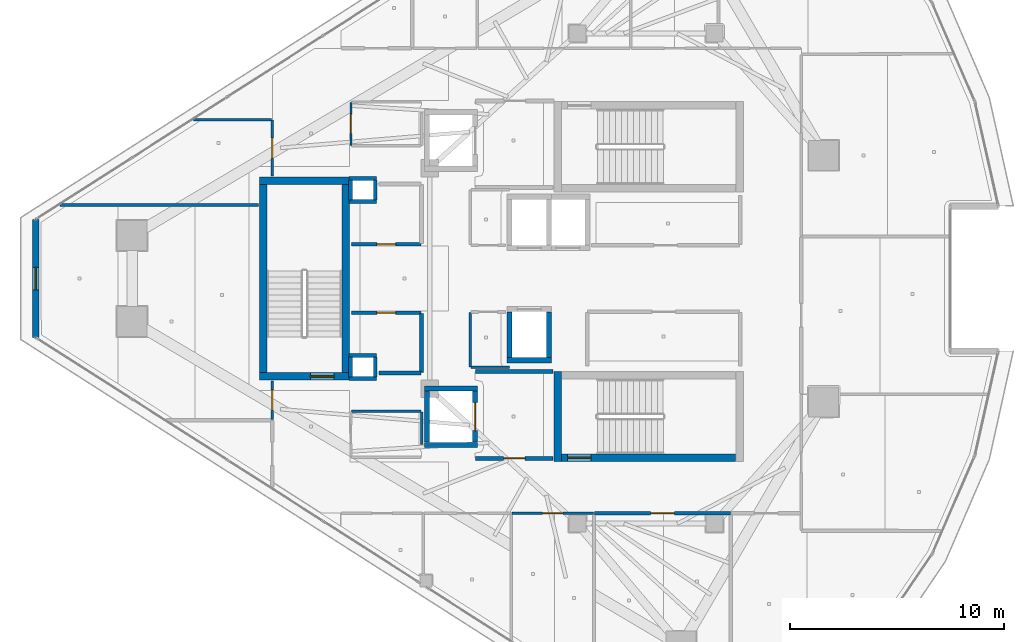
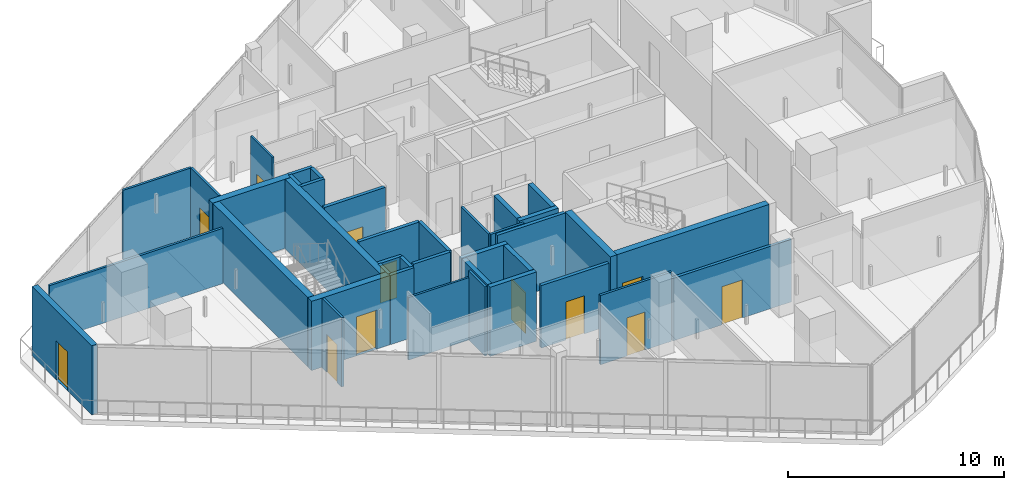
# One storey, part 16 of 25: 39 walls, 12 doors, 12 openings.
"""IFC4 building model written with IfcOpenShell, lengths in metres."""

from ifc_helpers import new_model, si_unit, direction, frame, frame_2d, origin, place, context, subcontext, project, spatial, rectangle, extrude, material, layer, layer_set, type_object, element, fill, save


model = new_model("IFC4")

# Units and contexts
model_context = context("Model", 3, precision=1e-05, world=origin(), true_north=direction((0.0, 1.0)))
body_context = subcontext(model_context, "Body", "Model", "MODEL_VIEW")
ifc_project = project(units=[si_unit("LENGTHUNIT", "METRE"), si_unit("AREAUNIT", "SQUARE_METRE"), si_unit("VOLUMEUNIT", "CUBIC_METRE"), si_unit("PLANEANGLEUNIT", "RADIAN"), si_unit("MASSUNIT", "GRAM", prefix="KILO")], contexts=[model_context])

# Site, building, storey
site_placement = place(None, origin())
site = spatial("IfcSite", under=ifc_project, at=site_placement, CompositionType="ELEMENT")
building_placement = place(site_placement, origin())
building = spatial("IfcBuilding", under=site, at=building_placement, Name="Qorvath Tower", CompositionType="ELEMENT")
storey_placement = place(building_placement, frame((0.0, 0.0, 306.0)))
storey = spatial("IfcBuildingStorey", under=building, at=storey_placement, Name="L71", CompositionType="ELEMENT", Elevation=306.0)

# Walls
ifc_material_1 = material(Name="Gypsum shaftliner on steel studs", Category="steel")
ifc_layer_1 = layer(ifc_material_1, 0.179931640625)
ifc_layer_set_1 = layer_set([ifc_layer_1], Name="FW-LOBBY")
wall_type_1 = type_object("IfcWallType", Name="FW-LOBBY", PredefinedType="PARTITIONING", material=ifc_layer_set_1)
for number, where, z_axis, x_axis, name in (
    (1, (-32.989990234375, 3.594970703125, 0.0), (0.0, 0.0, 1.0), (-1.0, 0.0, 0.0), "MEP Riser Shaft Enclosure Wall N-L71-S"),
    (2, (-34.260009765625, 4.675048828125, 0.0), (0.0, 0.0, 1.0), (1.0, 0.0, 0.0), "MEP Riser Shaft Enclosure Wall N-L71-N"),
):
    element("IfcWall", number, at=place(storey_placement, frame(where, z_axis=z_axis, x_axis=x_axis)), inside=storey, type_object=wall_type_1, Name=name, PredefinedType="PARTITIONING", context=body_context, shape_type="SweptSolid", body=[
        extrude(rectangle(XDim=1.27001953125, YDim=0.179931640625, at=frame_2d((0.635009765625, 0.0))), origin(), (0.0, 0.0, 1.0), 3.909912109375),
    ])
for number, where, z_axis, x_axis, name in (
    (3, (-34.205078125, 3.659912109375, 0.0), (0.0, 0.0, 1.0), (0.0, 1.0, 0.0), "MEP Riser Shaft Enclosure Wall N-L71-W"),
    (4, (-33.044921875, 4.610107421875, 0.0), (0.0, 0.0, 1.0), (0.0, -1.0, 0.0), "MEP Riser Shaft Enclosure Wall N-L71-E"),
):
    element("IfcWall", number, at=place(storey_placement, frame(where, z_axis=z_axis, x_axis=x_axis)), inside=storey, type_object=wall_type_1, Name=name, PredefinedType="PARTITIONING", context=body_context, shape_type="SweptSolid", body=[
        extrude(rectangle(XDim=0.9501953125, YDim=0.179931640625, at=frame_2d((0.47509765625, 0.0))), origin(), (0.0, 0.0, 1.0), 3.909912109375),
    ])
for number, where, z_axis, x_axis, name in (
    (5, (-32.989990234375, -4.675048828125, 0.0), (0.0, 0.0, 1.0), (-1.0, 0.0, 0.0), "MEP Riser Shaft Enclosure Wall S-L71-S"),
    (6, (-34.260009765625, -3.594970703125, 0.0), (0.0, 0.0, 1.0), (1.0, 0.0, 0.0), "MEP Riser Shaft Enclosure Wall S-L71-N"),
):
    element("IfcWall", number, at=place(storey_placement, frame(where, z_axis=z_axis, x_axis=x_axis)), inside=storey, type_object=wall_type_1, Name=name, PredefinedType="PARTITIONING", context=body_context, shape_type="SweptSolid", body=[
        extrude(rectangle(XDim=1.27001953125, YDim=0.179931640625, at=frame_2d((0.635009765625, 0.0))), origin(), (0.0, 0.0, 1.0), 3.909912109375),
    ])
for number, where, z_axis, x_axis, name in (
    (7, (-34.205078125, -4.610107421875, 0.0), (0.0, 0.0, 1.0), (0.0, 1.0, 0.0), "MEP Riser Shaft Enclosure Wall S-L71-W"),
    (8, (-33.044921875, -3.659912109375, 0.0), (0.0, 0.0, 1.0), (0.0, -1.0, 0.0), "MEP Riser Shaft Enclosure Wall S-L71-E"),
):
    element("IfcWall", number, at=place(storey_placement, frame(where, z_axis=z_axis, x_axis=x_axis)), inside=storey, type_object=wall_type_1, Name=name, PredefinedType="PARTITIONING", context=body_context, shape_type="SweptSolid", body=[
        extrude(rectangle(XDim=0.9501953125, YDim=0.179931640625, at=frame_2d((0.47509765625, 0.0))), origin(), (0.0, 0.0, 1.0), 3.909912109375),
    ])

# Wall, opening, door
wall_1_placement = place(storey_placement, frame((-28.35498046875, -8.39990234375, 0.0), z_axis=(0.0, 0.0, 1.0), x_axis=(1.0, 0.0, 0.0)))
wall_1 = element("IfcWall", 9, at=wall_1_placement, inside=storey, type_object=wall_type_1, Name="Interior Partition IW-T1-L71-003", PredefinedType="PARTITIONING", context=body_context, shape_type="SweptSolid", body=[
    extrude(rectangle(XDim=3.6220703125, YDim=0.179931640625, at=frame_2d((1.81103515625, 0.0))), origin(), (0.0, 0.0, 1.0), 3.52880859375),
])
opening_1_placement = place(wall_1_placement, frame((1.31103515625, 0.0, 0.0)))
opening_1 = element("IfcOpeningElement", 10, at=opening_1_placement, cuts=wall_1, Name="Opening D-T1-L71-23", PredefinedType="OPENING", context=body_context, shape_type="SweptSolid", body=[
    extrude(rectangle(XDim=1.0, YDim=2.14990234375, at=frame_2d((0.5, 1.074951171875))), frame((0.0, 0.10009765625, 0.0), z_axis=(0.0, -1.0, 0.0), x_axis=(1.0, 0.0, 0.0)), (0.0, 0.0, 1.0), 0.199951171875),
])
ifc_material_2 = material(Name="Painted galvanised hollow metal", Category="steel")
door_type_1 = type_object("IfcDoorType", Name="FD-60", OperationType="NOTDEFINED", PredefinedType="DOOR", material=ifc_material_2)
door_1_placement = place(opening_1_placement, origin())
door_1 = element("IfcDoor", 11, at=door_1_placement, inside=storey, type_object=door_type_1, Name="Lobby Fire Service Elevator South Door D-T1-L71-23", OperationType="SINGLE_SWING_RIGHT", OverallHeight=2.14990234375, OverallWidth=1.0, PredefinedType="DOOR", context=body_context, shape_type="SweptSolid", body=[
    extrude(rectangle(XDim=1.0, YDim=2.14990234375, at=frame_2d((0.5, 1.074951171875))), frame((0.0, 0.02490234375, 0.0), z_axis=(0.0, -1.0, 0.0), x_axis=(1.0, 0.0, 0.0)), (0.0, 0.0, 1.0), 0.050048828125),
])
fill(opening_1, door_1)

# Wall
wall_2_placement = place(storey_placement, frame((-24.73291015625, -4.35009765625, 0.0), z_axis=(0.0, 0.0, 1.0), x_axis=(-1.0, 0.0, 0.0)))
element("IfcWall", 12, at=wall_2_placement, inside=storey, type_object=wall_type_1, Name="Interior Partition IW-T1-L71-004", PredefinedType="PARTITIONING", context=body_context, shape_type="SweptSolid", body=[
    extrude(rectangle(XDim=3.6220703125, YDim=0.179931640625, at=frame_2d((1.81103515625, 0.0))), origin(), (0.0, 0.0, 1.0), 3.909912109375),
])

# Wall, opening, door
wall_3_placement = place(storey_placement, frame((-34.15478515625, 1.60009765625, 0.0), z_axis=(0.0, 0.0, 1.0), x_axis=(1.0, 0.0, 0.0)))
wall_3 = element("IfcWall", 13, at=wall_3_placement, inside=storey, type_object=wall_type_1, Name="Interior Partition IW-T1-L71-024", PredefinedType="PARTITIONING", context=body_context, shape_type="SweptSolid", body=[
    extrude(rectangle(XDim=3.25, YDim=0.179931640625, at=frame_2d((1.625, 0.0))), origin(), (0.0, 0.0, 1.0), 3.909912109375),
])
opening_2_placement = place(wall_3_placement, frame((1.18505859375, 0.0, 0.0)))
opening_2 = element("IfcOpeningElement", 14, at=opening_2_placement, cuts=wall_3, Name="Opening D-T1-L71-07", PredefinedType="OPENING", context=body_context, shape_type="SweptSolid", body=[
    extrude(rectangle(XDim=0.8798828125, YDim=2.10009765625, at=frame_2d((0.43994140625, 1.050048828125))), frame((0.0, 0.10009765625, 0.0), z_axis=(0.0, -1.0, 0.0), x_axis=(1.0, 0.0, 0.0)), (0.0, 0.0, 1.0), 0.199951171875),
])
ifc_material_3 = material(Name="Painted galvanised hollow metal", Category="steel")
door_type_2 = type_object("IfcDoorType", Name="FD-60N", OperationType="NOTDEFINED", PredefinedType="DOOR", material=ifc_material_3)
door_2_placement = place(opening_2_placement, origin())
door_2 = element("IfcDoor", 15, at=door_2_placement, inside=storey, type_object=door_type_2, Name="Core telecom comms room L71 Door D-T1-L71-07", OperationType="SINGLE_SWING_RIGHT", OverallHeight=2.10009765625, OverallWidth=0.8798828125, PredefinedType="DOOR", context=body_context, shape_type="SweptSolid", body=[
    extrude(rectangle(XDim=0.8798828125, YDim=2.10009765625, at=frame_2d((0.43994140625, 1.050048828125))), frame((0.0, 0.02490234375, 0.0), z_axis=(0.0, -1.0, 0.0), x_axis=(1.0, 0.0, 0.0)), (0.0, 0.0, 1.0), 0.050048828125),
])
fill(opening_2, door_2)

# Walls
wall_4_placement = place(storey_placement, frame((-32.8798828125, -4.419921875, 0.0), z_axis=(0.0, 0.0, 1.0), x_axis=(1.0, 0.0, 0.0)))
element("IfcWall", 16, at=wall_4_placement, inside=storey, type_object=wall_type_1, Name="Interior Partition IW-T1-L71-027", PredefinedType="PARTITIONING", context=body_context, shape_type="SweptSolid", body=[
    extrude(rectangle(XDim=1.97509765625, YDim=0.179931640625, at=frame_2d((0.987548828125, 0.0))), origin(), (0.0, 0.0, 1.0), 3.909912109375),
])
wall_5_placement = place(storey_placement, frame((-30.8798828125, -4.39501953125, 0.0), z_axis=(0.0, 0.0, 1.0), x_axis=(0.0, 1.0, 0.0)))
element("IfcWall", 17, at=wall_5_placement, inside=storey, type_object=wall_type_1, Name="Interior Partition IW-T1-L71-028", PredefinedType="PARTITIONING", context=body_context, shape_type="SweptSolid", body=[
    extrude(rectangle(XDim=2.77001953125, YDim=0.179931640625, at=frame_2d((1.385009765625, 0.0))), origin(), (0.0, 0.0, 1.0), 3.909912109375),
])

# Wall, opening, door
wall_6_placement = place(storey_placement, frame((-30.90478515625, -1.60009765625, 0.0), z_axis=(0.0, 0.0, 1.0), x_axis=(-1.0, 0.0, 0.0)))
wall_6 = element("IfcWall", 18, at=wall_6_placement, inside=storey, type_object=wall_type_1, Name="Interior Partition IW-T1-L71-029", PredefinedType="PARTITIONING", context=body_context, shape_type="SweptSolid", body=[
    extrude(rectangle(XDim=3.25, YDim=0.179931640625, at=frame_2d((1.625, 0.0))), origin(), (0.0, 0.0, 1.0), 3.909912109375),
])
opening_3_placement = place(wall_6_placement, frame((1.18505859375, 0.0, 0.0)))
opening_3 = element("IfcOpeningElement", 19, at=opening_3_placement, cuts=wall_6, Name="Opening D-T1-L71-08", PredefinedType="OPENING", context=body_context, shape_type="SweptSolid", body=[
    extrude(rectangle(XDim=0.8798828125, YDim=2.10009765625, at=frame_2d((0.43994140625, 1.050048828125))), frame((0.0, 0.10009765625, 0.0), z_axis=(0.0, -1.0, 0.0), x_axis=(1.0, 0.0, 0.0)), (0.0, 0.0, 1.0), 0.199951171875),
])
door_3_placement = place(opening_3_placement, origin())
door_3 = element("IfcDoor", 20, at=door_3_placement, inside=storey, type_object=door_type_2, Name="Core electrical closet L71 Door D-T1-L71-08", OperationType="SINGLE_SWING_LEFT", OverallHeight=2.10009765625, OverallWidth=0.8798828125, PredefinedType="DOOR", context=body_context, shape_type="SweptSolid", body=[
    extrude(rectangle(XDim=0.8798828125, YDim=2.10009765625, at=frame_2d((0.43994140625, 1.050048828125))), frame((0.0, 0.02490234375, 0.0), z_axis=(0.0, -1.0, 0.0), x_axis=(1.0, 0.0, 0.0)), (0.0, 0.0, 1.0), 0.050048828125),
])
fill(opening_3, door_3)

ifc_material_4 = material(Name="Double acoustic gypsum board on steel studs", Category="steel")
ifc_layer_2 = layer(ifc_material_4, 0.159912109375)
ifc_layer_set_2 = layer_set([ifc_layer_2], Name="IW-ACOUSTIC-160")
wall_type_2 = type_object("IfcWallType", Name="IW-ACOUSTIC-160", PredefinedType="PARTITIONING", material=ifc_layer_set_2)
wall_7_placement = place(storey_placement, frame((-16.458740234375, -10.9580078125, 0.0), z_axis=(0.0, 0.0, 1.0), x_axis=(-1.0, 0.0, 0.0)))
wall_7 = element("IfcWall", 21, at=wall_7_placement, inside=storey, type_object=wall_type_2, Name="Interior Partition IW-T1-L71-046", PredefinedType="PARTITIONING", context=body_context, shape_type="SweptSolid", body=[
    extrude(rectangle(XDim=6.333740234375, YDim=0.159912109375, at=frame_2d((3.1669921875, 0.0))), origin(), (0.0, 0.0, 1.0), 3.52880859375),
])
opening_4_placement = place(wall_7_placement, frame((2.616943359375, 0.0, 0.0)))
opening_4 = element("IfcOpeningElement", 22, at=opening_4_placement, cuts=wall_7, Name="Opening D-T1-L71-14", PredefinedType="OPENING", context=body_context, shape_type="SweptSolid", body=[
    extrude(rectangle(XDim=1.10009765625, YDim=2.14990234375, at=frame_2d((0.550048828125, 1.074951171875))), frame((0.0, 0.08984375, 0.0), z_axis=(0.0, -1.0, 0.0), x_axis=(1.0, 0.0, 0.0)), (0.0, 0.0, 1.0), 0.179931640625),
])
ifc_material_5 = material(Name="Anodised aluminium acoustic framed glass", Category="aluminium")
door_type_3 = type_object("IfcDoorType", Name="D-03", OperationType="NOTDEFINED", PredefinedType="DOOR", material=ifc_material_5)
door_4_placement = place(opening_4_placement, origin())
door_4 = element("IfcDoor", 23, at=door_4_placement, inside=storey, type_object=door_type_3, Name="L71-09 Digital Visualization Suite Door D-T1-L71-14", OperationType="SINGLE_SWING_LEFT", OverallHeight=2.14990234375, OverallWidth=1.10009765625, PredefinedType="DOOR", context=body_context, shape_type="SweptSolid", body=[
    extrude(rectangle(XDim=1.10009765625, YDim=2.14990234375, at=frame_2d((0.550048828125, 1.074951171875))), frame((0.0, 0.02490234375, 0.0), z_axis=(0.0, -1.0, 0.0), x_axis=(1.0, 0.0, 0.0)), (0.0, 0.0, 1.0), 0.050048828125),
])
fill(opening_4, door_4)

# Walls
ifc_material_6 = material(Name="Gypsum board on metal studs with mineral wool", Category="gypsum")
ifc_layer_3 = layer(ifc_material_6, 0.125)
ifc_layer_set_3 = layer_set([ifc_layer_3], Name="IW-PART-125")
wall_type_3 = type_object("IfcWallType", Name="IW-PART-125", PredefinedType="PARTITIONING", material=ifc_layer_set_3)
wall_8_placement = place(storey_placement, frame((-28.60009765625, -1.585205078125, 0.0), z_axis=(0.0, 0.0, 1.0), x_axis=(0.0, -1.0, 0.0)))
element("IfcWall", 24, at=wall_8_placement, inside=storey, type_object=wall_type_3, Name="Interior Partition IW-T1-L71-021", PredefinedType="PARTITIONING", context=body_context, shape_type="SweptSolid", body=[
    extrude(rectangle(XDim=2.539794921875, YDim=0.125, at=frame_2d((1.27001953125, 0.0))), origin(), (0.0, 0.0, 1.0), 3.909912109375),
])
wall_9_placement = place(storey_placement, frame((-28.5751953125, -4.14990234375, 0.0), z_axis=(0.0, 0.0, 1.0), x_axis=(1.0, 0.0, 0.0)))
element("IfcWall", 25, at=wall_9_placement, inside=storey, type_object=wall_type_3, Name="Interior Partition IW-T1-L71-022", PredefinedType="PARTITIONING", context=body_context, shape_type="SweptSolid", body=[
    extrude(rectangle(XDim=1.80029296875, YDim=0.125, at=frame_2d((0.900146484375, 0.0))), origin(), (0.0, 0.0, 1.0), 3.909912109375),
])

# Wall, opening, door
wall_10_placement = place(storey_placement, frame((-22.85009765625, -10.9580078125, 0.0), z_axis=(0.0, 0.0, 1.0), x_axis=(-1.0, 0.0, 0.0)))
wall_10 = element("IfcWall", 26, at=wall_10_placement, inside=storey, type_object=wall_type_3, Name="Interior Partition IW-T1-L71-044", PredefinedType="PARTITIONING", context=body_context, shape_type="SweptSolid", body=[
    extrude(rectangle(XDim=3.80517578125, YDim=0.125, at=frame_2d((1.902587890625, 0.0))), origin(), (0.0, 0.0, 1.0), 3.909912109375),
])
opening_5_placement = place(wall_10_placement, frame((1.427490234375, 0.0, 0.0)))
opening_5 = element("IfcOpeningElement", 27, at=opening_5_placement, cuts=wall_10, Name="Opening D-T1-L71-13", PredefinedType="OPENING", context=body_context, shape_type="SweptSolid", body=[
    extrude(rectangle(XDim=0.949951171875, YDim=2.14990234375, at=frame_2d((0.47509765625, 1.074951171875))), frame((0.0, 0.072509765625, 0.0), z_axis=(0.0, -1.0, 0.0), x_axis=(1.0, 0.0, 0.0)), (0.0, 0.0, 1.0), 0.14501953125),
])
ifc_material_7 = material(Name="Solid-core American white oak veneer", Category="wood")
door_type_4 = type_object("IfcDoorType", Name="D-01", OperationType="NOTDEFINED", PredefinedType="DOOR", material=ifc_material_7)
door_5_placement = place(opening_5_placement, origin())
door_5 = element("IfcDoor", 28, at=door_5_placement, inside=storey, type_object=door_type_4, Name="L71-08 Breakout Reading Alcove Door D-T1-L71-13", OperationType="SINGLE_SWING_RIGHT", OverallHeight=2.14990234375, OverallWidth=0.949951171875, PredefinedType="DOOR", context=body_context, shape_type="SweptSolid", body=[
    extrude(rectangle(XDim=0.949951171875, YDim=2.14990234375, at=frame_2d((0.47509765625, 1.074951171875))), frame((0.0, 0.02490234375, 0.0), z_axis=(0.0, -1.0, 0.0), x_axis=(1.0, 0.0, 0.0)), (0.0, 0.0, 1.0), 0.050048828125),
])
fill(opening_5, door_5)

wall_11_placement = place(storey_placement, frame((-37.85791015625, -6.5791015625, 0.0), z_axis=(0.0, 0.0, 1.0), x_axis=(0.0, 1.0, 0.0)))
wall_11 = element("IfcWall", 29, at=wall_11_placement, inside=storey, type_object=wall_type_3, Name="Interior Partition IW-T1-L71-057", PredefinedType="PARTITIONING", context=body_context, shape_type="SweptSolid", body=[
    extrude(rectangle(XDim=1.7958984375, YDim=0.125, at=frame_2d((0.89794921875, 0.0))), origin(), (0.0, 0.0, 1.0), 3.909912109375),
])
opening_6_placement = place(wall_11_placement, frame((0.4228515625, 0.0, 0.0)))
opening_6 = element("IfcOpeningElement", 30, at=opening_6_placement, cuts=wall_11, Name="Opening D-T1-L71-20", PredefinedType="OPENING", context=body_context, shape_type="SweptSolid", body=[
    extrude(rectangle(XDim=0.949951171875, YDim=2.14990234375, at=frame_2d((0.47509765625, 1.074951171875))), frame((0.0, 0.072509765625, 0.0), z_axis=(0.0, -1.0, 0.0), x_axis=(1.0, 0.0, 0.0)), (0.0, 0.0, 1.0), 0.14501953125),
])
door_6_placement = place(opening_6_placement, origin())
door_6 = element("IfcDoor", 31, at=door_6_placement, inside=storey, type_object=door_type_4, Name="L71-15 Project Collaboration Workspace Door D-T1-L71-20", OperationType="SINGLE_SWING_LEFT", OverallHeight=2.14990234375, OverallWidth=0.949951171875, PredefinedType="DOOR", context=body_context, shape_type="SweptSolid", body=[
    extrude(rectangle(XDim=0.949951171875, YDim=2.14990234375, at=frame_2d((0.47509765625, 1.074951171875))), frame((0.0, 0.02490234375, 0.0), z_axis=(0.0, -1.0, 0.0), x_axis=(1.0, 0.0, 0.0)), (0.0, 0.0, 1.0), 0.050048828125),
])
fill(opening_6, door_6)

# Wall
wall_12_placement = place(storey_placement, frame((-38.492919921875, 3.439208984375, 0.0), z_axis=(0.0, 0.0, 1.0), x_axis=(-0.999999932108, -0.000368488907, 0.0)))
element("IfcWall", 32, at=wall_12_placement, inside=storey, type_object=wall_type_3, Name="Interior Partition IW-T1-L71-058", PredefinedType="PARTITIONING", context=body_context, shape_type="SweptSolid", body=[
    extrude(rectangle(XDim=9.275634765625, YDim=0.125, at=frame_2d((4.6376953125, 0.0))), origin(), (0.0, 0.0, 1.0), 3.1298828125),
])

# Wall, opening, door
wall_13_placement = place(storey_placement, frame((-37.85791015625, 4.783203125, 0.0), z_axis=(0.0, 0.0, 1.0), x_axis=(0.0, 1.0, 0.0)))
wall_13 = element("IfcWall", 33, at=wall_13_placement, inside=storey, type_object=wall_type_3, Name="Interior Partition IW-T1-L71-059", PredefinedType="PARTITIONING", context=body_context, shape_type="SweptSolid", body=[
    extrude(rectangle(XDim=2.61328125, YDim=0.125, at=frame_2d((1.306640625, 0.0))), origin(), (0.0, 0.0, 1.0), 3.909912109375),
])
opening_7_placement = place(wall_13_placement, frame((0.83154296875, 0.0, 0.0)))
opening_7 = element("IfcOpeningElement", 34, at=opening_7_placement, cuts=wall_13, Name="Opening D-T1-L71-21", PredefinedType="OPENING", context=body_context, shape_type="SweptSolid", body=[
    extrude(rectangle(XDim=0.949951171875, YDim=2.14990234375, at=frame_2d((0.47509765625, 1.074951171875))), frame((0.0, 0.072509765625, 0.0), z_axis=(0.0, -1.0, 0.0), x_axis=(1.0, 0.0, 0.0)), (0.0, 0.0, 1.0), 0.14501953125),
])
door_7_placement = place(opening_7_placement, origin())
door_7 = element("IfcDoor", 35, at=door_7_placement, inside=storey, type_object=door_type_4, Name="L71-16 Design Pin-Up Atelier Door D-T1-L71-21", OperationType="SINGLE_SWING_RIGHT", OverallHeight=2.14990234375, OverallWidth=0.949951171875, PredefinedType="DOOR", context=body_context, shape_type="SweptSolid", body=[
    extrude(rectangle(XDim=0.949951171875, YDim=2.14990234375, at=frame_2d((0.47509765625, 1.074951171875))), frame((0.0, 0.02490234375, 0.0), z_axis=(0.0, -1.0, 0.0), x_axis=(1.0, 0.0, 0.0)), (0.0, 0.0, 1.0), 0.050048828125),
])
fill(opening_7, door_7)

# Wall
wall_14_placement = place(storey_placement, frame((-37.8828125, 7.421630859375, 0.0), z_axis=(0.0, 0.0, 1.0), x_axis=(-1.0, 0.0, 0.0)))
element("IfcWall", 36, at=wall_14_placement, inside=storey, type_object=wall_type_3, Name="Interior Partition IW-T1-L71-060", PredefinedType="PARTITIONING", context=body_context, shape_type="SweptSolid", body=[
    extrude(rectangle(XDim=3.6494140625, YDim=0.125, at=frame_2d((1.82470703125, 0.0))), origin(), (0.0, 0.0, 1.0), 3.909912109375),
])

# Wall, opening, door
ifc_material_8 = material(Name="Moisture-resistant cement board on metal studs", Category="gypsum")
ifc_layer_4 = layer(ifc_material_8, 0.110107421875)
ifc_layer_set_4 = layer_set([ifc_layer_4], Name="IW-WC-110")
wall_type_4 = type_object("IfcWallType", Name="IW-WC-110", PredefinedType="PARTITIONING", material=ifc_layer_set_4)
wall_15_placement = place(storey_placement, frame((-34.179931640625, 8.22509765625, 0.0), z_axis=(0.0, 0.0, 1.0), x_axis=(0.0, -1.0, 0.0)))
wall_15 = element("IfcWall", 37, at=wall_15_placement, inside=storey, type_object=wall_type_4, Name="Interior Partition IW-T1-L71-005", PredefinedType="PARTITIONING", context=body_context, shape_type="SweptSolid", body=[
    extrude(rectangle(XDim=2.0, YDim=0.110107421875, at=frame_2d((1.0, 0.0))), origin(), (0.0, 0.0, 1.0), 3.909912109375),
])
opening_8_placement = place(wall_15_placement, frame((0.56005859375, 0.0, 0.0)))
opening_8 = element("IfcOpeningElement", 38, at=opening_8_placement, cuts=wall_15, Name="Opening D-T1-L71-01", PredefinedType="OPENING", context=body_context, shape_type="SweptSolid", body=[
    extrude(rectangle(XDim=0.8798828125, YDim=2.10009765625, at=frame_2d((0.43994140625, 1.050048828125))), frame((0.0, 0.06494140625, 0.0), z_axis=(0.0, -1.0, 0.0), x_axis=(1.0, 0.0, 0.0)), (0.0, 0.0, 1.0), 0.130126953125),
])
ifc_material_9 = material(Name="Solid-core oak with acoustic drop seal", Category="wood")
door_type_5 = type_object("IfcDoorType", Name="D-02", OperationType="NOTDEFINED", PredefinedType="DOOR", material=ifc_material_9)
door_8_placement = place(opening_8_placement, origin())
door_8 = element("IfcDoor", 39, at=door_8_placement, inside=storey, type_object=door_type_5, Name="WC All-Gender North L71 Door D-T1-L71-01", OperationType="SINGLE_SWING_RIGHT", OverallHeight=2.10009765625, OverallWidth=0.8798828125, PredefinedType="DOOR", context=body_context, shape_type="SweptSolid", body=[
    extrude(rectangle(XDim=0.8798828125, YDim=2.10009765625, at=frame_2d((0.43994140625, 1.050048828125))), frame((0.0, 0.02490234375, 0.0), z_axis=(0.0, -1.0, 0.0), x_axis=(1.0, 0.0, 0.0)), (0.0, 0.0, 1.0), 0.050048828125),
])
fill(opening_8, door_8)

# Walls
wall_16_placement = place(storey_placement, frame((-30.8798828125, -7.742919921875, 0.0), z_axis=(0.0, 0.0, 1.0), x_axis=(0.0, 1.0, 0.0)))
element("IfcWall", 40, at=wall_16_placement, inside=storey, type_object=wall_type_4, Name="Interior Partition IW-T1-L71-011", PredefinedType="PARTITIONING", context=body_context, shape_type="SweptSolid", body=[
    extrude(rectangle(XDim=1.517822265625, YDim=0.110107421875, at=frame_2d((0.7587890625, 0.0))), origin(), (0.0, 0.0, 1.0), 3.909912109375),
])
wall_17_placement = place(storey_placement, frame((-30.90478515625, -6.199951171875, 0.0), z_axis=(0.0, 0.0, 1.0), x_axis=(-1.0, 0.0, 0.0)))
element("IfcWall", 41, at=wall_17_placement, inside=storey, type_object=wall_type_4, Name="Interior Partition IW-T1-L71-012", PredefinedType="PARTITIONING", context=body_context, shape_type="SweptSolid", body=[
    extrude(rectangle(XDim=3.25, YDim=0.110107421875, at=frame_2d((1.625, 0.0))), origin(), (0.0, 0.0, 1.0), 3.52880859375),
])
ifc_material_10 = material(Name="Concrete C60/75", Category="concrete")
ifc_layer_5 = layer(ifc_material_10, 0.260009765625)
ifc_layer_set_5 = layer_set([ifc_layer_5], Name="SW-SHAFT")
wall_type_5 = type_object("IfcWallType", Name="SW-SHAFT", PredefinedType="SHEAR", material=ifc_layer_set_5)
for number, where, z_axis, x_axis, name in (
    (42, (-28.260009765625, -7.77001953125, 0.0), (0.0, 0.0, 1.0), (-1.0, 0.0, 0.0), "Hoistway Wall FSAE-2 L71 S"),
    (43, (-30.739990234375, -5.1298828125, 0.0), (0.0, 0.0, 1.0), (1.0, 0.0, 0.0), "Hoistway Wall FSAE-2 L71 N"),
):
    element("IfcWall", number, at=place(storey_placement, frame(where, z_axis=z_axis, x_axis=x_axis)), inside=storey, type_object=wall_type_5, Name=name, PredefinedType="SHEAR", context=body_context, shape_type="SweptSolid", body=[
        extrude(rectangle(XDim=2.47998046875, YDim=0.239990234375, at=frame_2d((1.239990234375, 0.0))), origin(), (0.0, 0.0, 1.0), 3.909912109375),
    ])
wall_18_placement = place(storey_placement, frame((-30.6201171875, -7.637939453125, 0.0), z_axis=(0.0, 0.0, 1.0), x_axis=(0.0, 1.0, 0.0)))
element("IfcWall", 44, at=wall_18_placement, inside=storey, type_object=wall_type_5, Name="Hoistway Wall FSAE-2 L71 W", PredefinedType="SHEAR", context=body_context, shape_type="SweptSolid", body=[
    extrude(rectangle(XDim=2.3759765625, YDim=0.239990234375, at=frame_2d((1.18798828125, 0.0))), origin(), (0.0, 0.0, 1.0), 3.909912109375),
])

# Wall, opening, door
wall_19_placement = place(storey_placement, frame((-28.3798828125, -5.261962890625, 0.0), z_axis=(0.0, 0.0, 1.0), x_axis=(0.0, -1.0, 0.0)))
wall_19 = element("IfcWall", 45, at=wall_19_placement, inside=storey, type_object=wall_type_5, Name="Hoistway Wall FSAE-2 L71 E", PredefinedType="SHEAR", context=body_context, shape_type="SweptSolid", body=[
    extrude(rectangle(XDim=2.3759765625, YDim=0.239990234375, at=frame_2d((1.18798828125, 0.0))), origin(), (0.0, 0.0, 1.0), 3.909912109375),
])
opening_9_placement = place(wall_19_placement, frame((0.5380859375, 0.0, 0.0)))
opening_9 = element("IfcOpeningElement", 46, at=opening_9_placement, cuts=wall_19, Name="Opening LD-FSAE-2-L71", PredefinedType="OPENING", context=body_context, shape_type="SweptSolid", body=[
    extrude(rectangle(XDim=1.300048828125, YDim=2.300048828125, at=frame_2d((0.64990234375, 1.14990234375))), frame((0.0, 0.1298828125, 0.0), z_axis=(0.0, -1.0, 0.0), x_axis=(1.0, 0.0, 0.0)), (0.0, 0.0, 1.0), 0.260009765625),
])
ifc_material_11 = material(Name="Brushed stainless steel AISI 316", Category="steel")
door_type_6 = type_object("IfcDoorType", Name="LD-02", OperationType="NOTDEFINED", PredefinedType="DOOR", material=ifc_material_11)
door_9_placement = place(opening_9_placement, origin())
door_9 = element("IfcDoor", 47, at=door_9_placement, inside=storey, type_object=door_type_6, Name="Elevator Landing Sliding Door LD-FSAE-2-L71", OperationType="DOUBLE_DOOR_SLIDING", OverallHeight=2.300048828125, OverallWidth=1.300048828125, PredefinedType="DOOR", context=body_context, shape_type="SweptSolid", body=[
    extrude(rectangle(XDim=1.300048828125, YDim=2.300048828125, at=frame_2d((0.64990234375, 1.14990234375))), frame((0.0, 0.02490234375, 0.0), z_axis=(0.0, -1.0, 0.0), x_axis=(1.0, 0.0, 0.0)), (0.0, 0.0, 1.0), 0.050048828125),
])
fill(opening_9, door_9)

# Walls
wall_20_placement = place(storey_placement, frame((-24.81005859375, -3.820068359375, 0.0), z_axis=(0.0, 0.0, 1.0), x_axis=(-1.0, 0.0, 0.0)))
element("IfcWall", 48, at=wall_20_placement, inside=storey, type_object=wall_type_5, Name="Hoistway Wall PH-3 L71 S", PredefinedType="SHEAR", context=body_context, shape_type="SweptSolid", body=[
    extrude(rectangle(XDim=2.079833984375, YDim=0.239990234375, at=frame_2d((1.0400390625, 0.0))), origin(), (0.0, 0.0, 1.0), 3.909912109375),
])
for number, where, z_axis, x_axis, name in (
    (49, (-26.77001953125, -3.68798828125, 0.0), (0.0, 0.0, 1.0), (0.0, 1.0, 0.0), "Hoistway Wall PH-3 L71 W"),
    (50, (-24.929931640625, -1.56201171875, 0.0), (0.0, 0.0, 1.0), (0.0, -1.0, 0.0), "Hoistway Wall PH-3 L71 E"),
):
    element("IfcWall", number, at=place(storey_placement, frame(where, z_axis=z_axis, x_axis=x_axis)), inside=storey, type_object=wall_type_5, Name=name, PredefinedType="SHEAR", context=body_context, shape_type="SweptSolid", body=[
        extrude(rectangle(XDim=2.1259765625, YDim=0.239990234375, at=frame_2d((1.06298828125, 0.0))), origin(), (0.0, 0.0, 1.0), 3.909912109375),
    ])
ifc_material_12 = material(Name="Concrete C60/75", Category="concrete")
ifc_layer_6 = layer(ifc_material_12, 0.35009765625)
ifc_layer_set_6 = layer_set([ifc_layer_6], Name="SW-STAIR")
wall_type_6 = type_object("IfcWallType", Name="SW-STAIR", PredefinedType="SHEAR", material=ifc_layer_set_6)
wall_21_placement = place(storey_placement, frame((-24.52490234375, -4.340087890625, 0.0), z_axis=(0.0, 0.0, 1.0), x_axis=(0.0, -1.0, 0.0)))
element("IfcWall", 51, at=wall_21_placement, inside=storey, type_object=wall_type_6, Name="Stair TS2 Shear Wall L71 NEAR", PredefinedType="SHEAR", context=body_context, shape_type="SweptSolid", body=[
    extrude(rectangle(XDim=4.2099609375, YDim=0.35009765625, at=frame_2d((2.10498046875, 0.0))), origin(), (0.0, 0.0, 1.0), 3.909912109375),
])

# Wall, opening, door
wall_22_placement = place(storey_placement, frame((-24.3349609375, -8.375, 0.0), z_axis=(0.0, 0.0, 1.0), x_axis=(1.0, 0.0, 0.0)))
wall_22 = element("IfcWall", 52, at=wall_22_placement, inside=storey, type_object=wall_type_6, Name="Stair TS2 Shear Wall L71 LEFT", PredefinedType="SHEAR", context=body_context, shape_type="SweptSolid", body=[
    extrude(rectangle(XDim=8.119873046875, YDim=0.35009765625, at=frame_2d((4.06005859375, 0.0))), origin(), (0.0, 0.0, 1.0), 3.909912109375),
])
opening_10_placement = place(wall_22_placement, frame((0.280029296875, 0.0, 0.0)))
opening_10 = element("IfcOpeningElement", 53, at=opening_10_placement, cuts=wall_22, Name="Opening D-TS2-L71", PredefinedType="OPENING", context=body_context, shape_type="SweptSolid", body=[
    extrude(rectangle(XDim=1.10009765625, YDim=2.199951171875, at=frame_2d((0.550048828125, 1.10009765625))), frame((0.0, 0.18505859375, 0.0), z_axis=(0.0, -1.0, 0.0), x_axis=(1.0, 0.0, 0.0)), (0.0, 0.0, 1.0), 0.3701171875),
])
ifc_material_13 = material(Name="Painted galvanised hollow metal", Category="steel")
door_type_7 = type_object("IfcDoorType", Name="FD-90", OperationType="NOTDEFINED", PredefinedType="DOOR", material=ifc_material_13)
door_10_placement = place(opening_10_placement, origin())
door_10 = element("IfcDoor", 54, at=door_10_placement, inside=storey, type_object=door_type_7, Name="Stair TS2 Fire Door L71", OperationType="SINGLE_SWING_RIGHT", OverallHeight=2.199951171875, OverallWidth=1.10009765625, PredefinedType="DOOR", context=body_context, shape_type="SweptSolid", body=[
    extrude(rectangle(XDim=1.10009765625, YDim=2.199951171875, at=frame_2d((0.550048828125, 1.10009765625))), frame((0.0, 0.02490234375, 0.0), z_axis=(0.0, -1.0, 0.0), x_axis=(1.0, 0.0, 0.0)), (0.0, 0.0, 1.0), 0.050048828125),
])
fill(opening_10, door_10)

wall_23_placement = place(storey_placement, frame((-38.4599609375, -4.574951171875, 0.0), z_axis=(0.0, 0.0, 1.0), x_axis=(1.0, 0.0, 0.0)))
wall_23 = element("IfcWall", 55, at=wall_23_placement, inside=storey, type_object=wall_type_6, Name="Stair TS3 Shear Wall L71 NEAR", PredefinedType="SHEAR", context=body_context, shape_type="SweptSolid", body=[
    extrude(rectangle(XDim=4.2099609375, YDim=0.35009765625, at=frame_2d((2.10498046875, 0.0))), origin(), (0.0, 0.0, 1.0), 3.909912109375),
])
opening_11_placement = place(wall_23_placement, frame((2.389892578125, 0.0, 0.0)))
opening_11 = element("IfcOpeningElement", 56, at=opening_11_placement, cuts=wall_23, Name="Opening D-TS3-L71", PredefinedType="OPENING", context=body_context, shape_type="SweptSolid", body=[
    extrude(rectangle(XDim=1.10009765625, YDim=2.199951171875, at=frame_2d((0.550048828125, 1.10009765625))), frame((0.0, 0.18505859375, 0.0), z_axis=(0.0, -1.0, 0.0), x_axis=(1.0, 0.0, 0.0)), (0.0, 0.0, 1.0), 0.3701171875),
])
door_11_placement = place(opening_11_placement, origin())
door_11 = element("IfcDoor", 57, at=door_11_placement, inside=storey, type_object=door_type_7, Name="Stair TS3 Fire Door L71", OperationType="SINGLE_SWING_RIGHT", OverallHeight=2.199951171875, OverallWidth=1.10009765625, PredefinedType="DOOR", context=body_context, shape_type="SweptSolid", body=[
    extrude(rectangle(XDim=1.10009765625, YDim=2.199951171875, at=frame_2d((0.550048828125, 1.10009765625))), frame((0.0, 0.02490234375, 0.0), z_axis=(0.0, -1.0, 0.0), x_axis=(1.0, 0.0, 0.0)), (0.0, 0.0, 1.0), 0.050048828125),
])
fill(opening_11, door_11)

# Walls
wall_24_placement = place(storey_placement, frame((-34.25, 4.574951171875, 0.0), z_axis=(0.0, 0.0, 1.0), x_axis=(-1.0, 0.0, 0.0)))
element("IfcWall", 58, at=wall_24_placement, inside=storey, type_object=wall_type_6, Name="Stair TS3 Shear Wall L71 FAR", PredefinedType="SHEAR", context=body_context, shape_type="SweptSolid", body=[
    extrude(rectangle(XDim=4.2099609375, YDim=0.35009765625, at=frame_2d((2.10498046875, 0.0))), origin(), (0.0, 0.0, 1.0), 3.909912109375),
])
for number, where, z_axis, x_axis, name in (
    (59, (-34.425048828125, -4.385009765625, 0.0), (0.0, 0.0, 1.0), (0.0, 1.0, 0.0), "Stair TS3 Shear Wall L71 LEFT"),
    (60, (-38.284912109375, 4.385009765625, 0.0), (0.0, 0.0, 1.0), (0.0, -1.0, 0.0), "Stair TS3 Shear Wall L71 RIGHT"),
):
    element("IfcWall", number, at=place(storey_placement, frame(where, z_axis=z_axis, x_axis=x_axis)), inside=storey, type_object=wall_type_6, Name=name, PredefinedType="SHEAR", context=body_context, shape_type="SweptSolid", body=[
        extrude(rectangle(XDim=8.77001953125, YDim=0.35009765625, at=frame_2d((4.385009765625, 0.0))), origin(), (0.0, 0.0, 1.0), 3.909912109375),
    ])

# Wall, opening, door
ifc_material_14 = material(Name="Precast concrete C45/55", Category="concrete")
ifc_layer_7 = layer(ifc_material_14, 0.300048828125)
ifc_layer_set_7 = layer_set([ifc_layer_7], Name="WL-EW-LOG-300")
wall_type_7 = type_object("IfcWallType", Name="WL-EW-LOG-300", PredefinedType="SOLIDWALL", material=ifc_layer_set_7)
wall_25_placement = place(storey_placement, frame((-48.89990234375, -2.763916015625, 0.0), z_axis=(0.0, 0.0, 1.0), x_axis=(0.0, 1.0, 0.0)))
wall_25 = element("IfcWall", 61, at=wall_25_placement, inside=storey, type_object=wall_type_7, Name="Tower Precast Loggia Wall L71-1.1", PredefinedType="SOLIDWALL", context=body_context, shape_type="SweptSolid", body=[
    extrude(rectangle(XDim=5.52783203125, YDim=0.300048828125, at=frame_2d((2.763916015625, 0.0))), origin(), (0.0, 0.0, 1.0), 3.909912109375),
])
opening_12_placement = place(wall_25_placement, frame((2.239013671875, 0.0, 0.0)))
opening_12 = element("IfcOpeningElement", 62, at=opening_12_placement, cuts=wall_25, Name="Opening ED-L71-01", PredefinedType="OPENING", context=body_context, shape_type="SweptSolid", body=[
    extrude(rectangle(XDim=1.050048828125, YDim=2.199951171875, at=frame_2d((0.52490234375, 1.10009765625))), frame((0.0, 0.16015625, 0.0), z_axis=(0.0, -1.0, 0.0), x_axis=(1.0, 0.0, 0.0)), (0.0, 0.0, 1.0), 0.320068359375),
])
ifc_material_15 = material(Name="Thermally broken aluminium glazed door", Category="aluminium")
door_type_8 = type_object("IfcDoorType", Name="ED-LOG", OperationType="NOTDEFINED", PredefinedType="DOOR", material=ifc_material_15)
door_12_placement = place(opening_12_placement, origin())
door_12 = element("IfcDoor", 63, at=door_12_placement, inside=storey, type_object=door_type_8, Name="L71 Recessed Loggia Access Door 1", OperationType="SINGLE_SWING_LEFT", OverallHeight=2.199951171875, OverallWidth=1.050048828125, PredefinedType="DOOR", context=body_context, shape_type="SweptSolid", body=[
    extrude(rectangle(XDim=1.050048828125, YDim=2.199951171875, at=frame_2d((0.52490234375, 1.10009765625))), frame((0.0, 0.02490234375, 0.0), z_axis=(0.0, -1.0, 0.0), x_axis=(1.0, 0.0, 0.0)), (0.0, 0.0, 1.0), 0.050048828125),
])
fill(opening_12, door_12)

save(model, "model.ifc")
